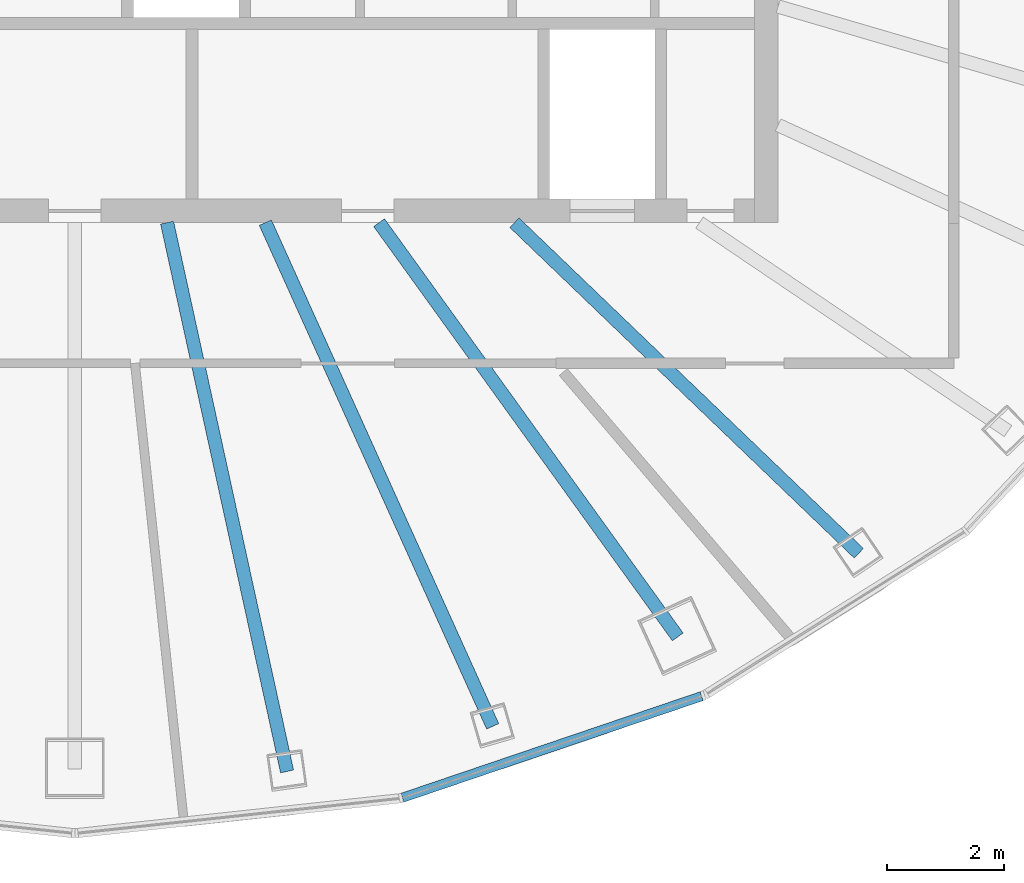
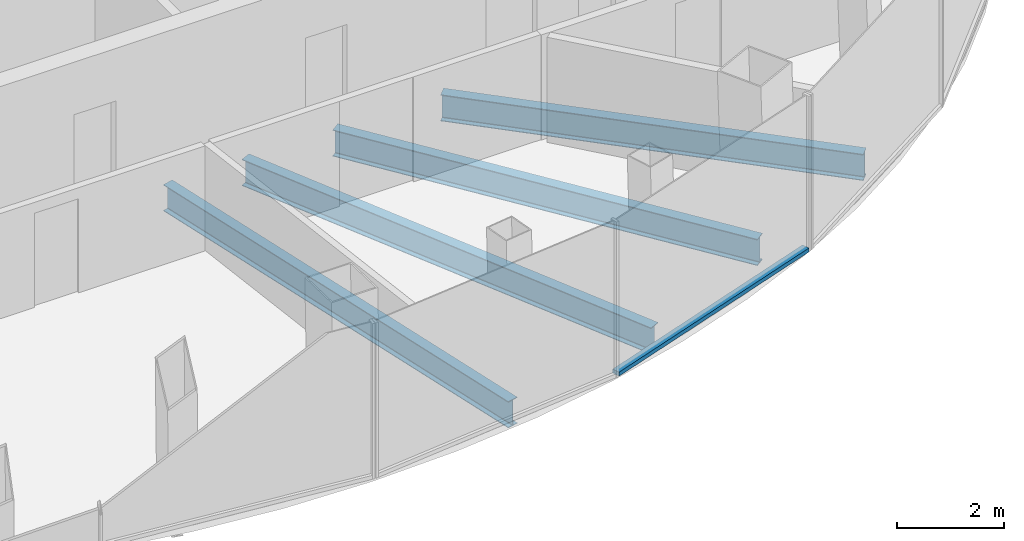
# One storey, part 3 of 12: 4 beams, 1 member, 1 element without a shape of its own.
"""IFC4 building model written with IfcOpenShell, lengths in metres."""

from ifc_helpers import new_model, si_unit, direction, frame, origin, origin_2d, place, context, subcontext, project, spatial, rectangle, i_section, extrude, material, layer, layer_set, material_profile, profile_set, type_object, element, aggregate, save


model = new_model("IFC4")

# Units and contexts
model_context = context("Model", 3, precision=1e-05, world=origin(), true_north=direction((0.0, 1.0)))
body_context = subcontext(model_context, "Body", "Model", "MODEL_VIEW")
ifc_project = project(units=[si_unit("LENGTHUNIT", "METRE"), si_unit("AREAUNIT", "SQUARE_METRE"), si_unit("VOLUMEUNIT", "CUBIC_METRE"), si_unit("PLANEANGLEUNIT", "RADIAN"), si_unit("MASSUNIT", "GRAM", prefix="KILO")], contexts=[model_context])

# Site, building, storey
site_placement = place(None, origin())
site = spatial("IfcSite", under=ifc_project, at=site_placement, CompositionType="ELEMENT")
building_placement = place(site_placement, origin())
building = spatial("IfcBuilding", under=site, at=building_placement, Name="Siaravel Broadcast Tower", CompositionType="ELEMENT")
storey_placement = place(building_placement, frame((0.0, 0.0, 231.89990234375)))
storey = spatial("IfcBuildingStorey", under=building, at=storey_placement, Name="L56", CompositionType="ELEMENT", Elevation=231.89990234375)

# Beams
ifc_material_1 = material(Name="Steel S355", Category="steel")
ifc_material_profile_1 = material_profile(ifc_material_1, i_section(OverallWidth=0.2275390625, OverallDepth=0.6025390625, WebThickness=0.010498046875, FlangeThickness=0.014892578125, FilletRadius=0.0126953125, at=origin_2d()))
ifc_profile_set_1 = profile_set([ifc_material_profile_1], Name="Steel S355")
beam_type = type_object("IfcBeamType", Name="BM-UB 610x229x101", PredefinedType="BEAM", material=ifc_profile_set_1)
beam_1_placement = place(storey_placement, frame((3.621826171875, -16.564453125, -0.451171875), z_axis=(-0.213609528, 0.976919121, 0.0), x_axis=(-0.976919121, -0.213609528, 0.0)))
element("IfcBeam", 1, at=beam_1_placement, inside=storey, type_object=beam_type, Name="Radial beam RB29", PredefinedType="BEAM", context=body_context, shape_type="SweptSolid", body=[
    extrude(i_section(OverallWidth=0.2275390625, OverallDepth=0.6025390625, WebThickness=0.010498046875, FlangeThickness=0.014892578125, FilletRadius=0.0126953125, at=origin_2d()), origin(), (0.0, 0.0, 1.0), 9.585693359375),
])
beam_2_placement = place(storey_placement, frame((7.13037109375, -15.79443359375, -0.451171875), z_axis=(-0.411454915, 0.911430114, 0.0), x_axis=(-0.911430114, -0.411454915, 0.0)))
element("IfcBeam", 2, at=beam_2_placement, inside=storey, type_object=beam_type, Name="Radial beam RB30", PredefinedType="BEAM", context=body_context, shape_type="SweptSolid", body=[
    extrude(i_section(OverallWidth=0.2275390625, OverallDepth=0.6025390625, WebThickness=0.010498046875, FlangeThickness=0.014892578125, FilletRadius=0.0126953125, at=origin_2d()), origin(), (0.0, 0.0, 1.0), 9.4296875),
])
beam_3_placement = place(storey_placement, frame((10.28759765625, -14.2685546875, -0.451171875), z_axis=(-0.584818295, 0.811164324, 0.0), x_axis=(-0.811164324, -0.584818295, 0.0)))
element("IfcBeam", 3, at=beam_3_placement, inside=storey, type_object=beam_type, Name="Radial beam RB31", PredefinedType="BEAM", context=body_context, shape_type="SweptSolid", body=[
    extrude(i_section(OverallWidth=0.2275390625, OverallDepth=0.6025390625, WebThickness=0.010498046875, FlangeThickness=0.014892578125, FilletRadius=0.0126953125, at=origin_2d()), origin(), (0.0, 0.0, 1.0), 8.714111328125),
])
beam_4_placement = place(storey_placement, frame((13.377197265625, -12.841552734375, -0.451171875), z_axis=(-0.721404089, 0.692514361, 0.0), x_axis=(-0.692514361, -0.721404089, 0.0)))
element("IfcBeam", 4, at=beam_4_placement, inside=storey, type_object=beam_type, Name="Radial beam RB32", PredefinedType="BEAM", context=body_context, shape_type="SweptSolid", body=[
    extrude(i_section(OverallWidth=0.2275390625, OverallDepth=0.6025390625, WebThickness=0.010498046875, FlangeThickness=0.014892578125, FilletRadius=0.0126953125, at=origin_2d()), origin(), (0.0, 0.0, 1.0), 8.146484375),
])

# Curtain wall, member
ifc_material_2 = material(Name="Aluminium 6063-T6", Category="aluminium")
ifc_layer = layer(ifc_material_2, 0.159912109375)
ifc_layer_set = layer_set([ifc_layer], Name="Aluminium 6063-T6")
curtain_wall_type = type_object("IfcCurtainWallType", Name="Unitised curtain wall, zone 4", PredefinedType="NOTDEFINED", material=ifc_layer_set)
curtain_wall_placement = place(storey_placement, origin())
curtain_wall = element("IfcCurtainWall", 5, at=curtain_wall_placement, inside=storey, type_object=curtain_wall_type, Name="L56 Unitised curtain wall, zone 4 10", PredefinedType="NOTDEFINED")
ifc_material_profile_2 = material_profile(ifc_material_2, rectangle(XDim=0.159912109375, YDim=0.090087890625, at=origin_2d()))
ifc_profile_set_2 = profile_set([ifc_material_profile_2], Name="Aluminium 6063-T6")
member_type = type_object("IfcMemberType", Name="CW-Z4 transom", PredefinedType="USERDEFINED", material=ifc_profile_set_2)
member_placement = place(storey_placement, frame((5.5888671875, -17.012939453125, 0.045166015625), z_axis=(0.946971812, 0.321316645, 0.0), x_axis=(-0.321316645, 0.946971812, 0.0)))
member = element("IfcMember", 6, at=member_placement, type_object=member_type, Name="CW-Z4 transom 2", ObjectType="TRANSOM", PredefinedType="USERDEFINED", context=body_context, shape_type="SweptSolid", body=[
    extrude(rectangle(XDim=0.159912109375, YDim=0.090087890625, at=origin_2d()), origin(), (0.0, 0.0, 1.0), 5.392333984375),
])
aggregate(curtain_wall, [member])

save(model, "model.ifc")
